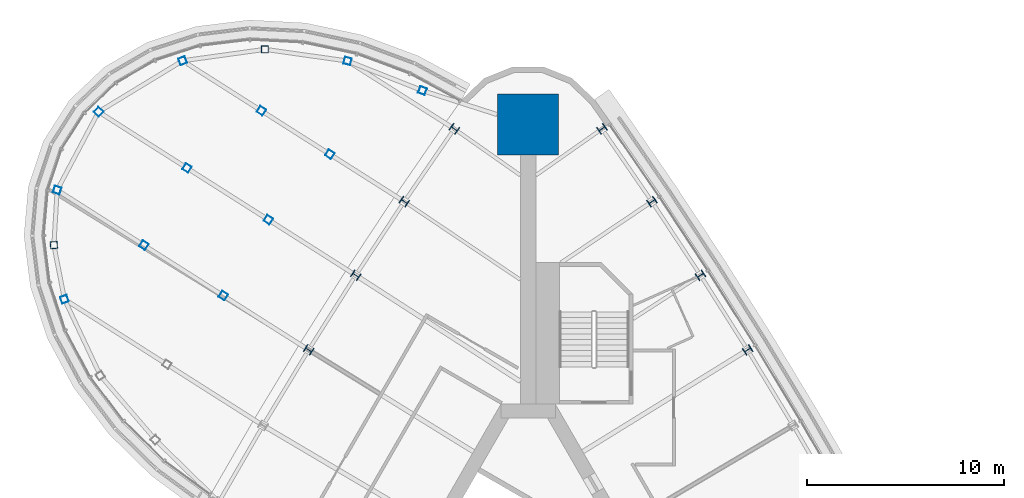
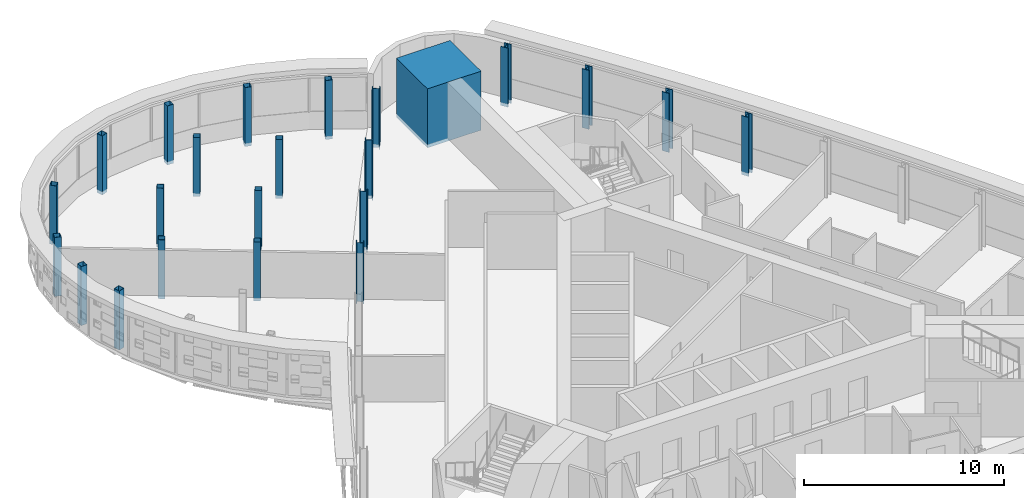
# One storey, part 3 of 17: 23 columns.
"""IFC4 building model written with IfcOpenShell, lengths in metres."""

from ifc_helpers import new_model, si_unit, direction, frame, origin, origin_2d, place, context, subcontext, project, spatial, rectangle, hollow_rectangle, i_section, extrude, material, material_profile, profile_set, type_object, element, save


model = new_model("IFC4")

# Units and contexts
model_context = context("Model", 3, precision=1e-05, world=origin(), true_north=direction((0.0, 1.0)))
body_context = subcontext(model_context, "Body", "Model", "MODEL_VIEW")
ifc_project = project(units=[si_unit("LENGTHUNIT", "METRE"), si_unit("AREAUNIT", "SQUARE_METRE"), si_unit("VOLUMEUNIT", "CUBIC_METRE"), si_unit("PLANEANGLEUNIT", "RADIAN"), si_unit("MASSUNIT", "GRAM", prefix="KILO")], contexts=[model_context])

# Site, building, storey
site_placement = place(None, origin())
site = spatial("IfcSite", under=ifc_project, at=site_placement, CompositionType="ELEMENT")
building_placement = place(site_placement, origin())
building = spatial("IfcBuilding", under=site, at=building_placement, Name="Noor Cloister Tower", CompositionType="ELEMENT")
storey_placement = place(building_placement, frame((0.0, 0.0, 95.10009765625)))
storey = spatial("IfcBuildingStorey", under=building, at=storey_placement, Name="L24", CompositionType="ELEMENT", Elevation=95.10009765625)

# Columns
ifc_material_1 = material(Name="Steel ASTM A992 Gr 50", Category="steel")
ifc_material_profile_1 = material_profile(ifc_material_1, i_section(OverallWidth=0.40087890625, OverallDepth=0.39892578125, WebThickness=0.02490234375, FlangeThickness=0.03955078125, FilletRadius=0.015380859375, at=origin_2d()), Name="W360x314")
ifc_profile_set_1 = profile_set([ifc_material_profile_1], Name="Steel ASTM A992 Gr 50")
column_type_1 = type_object("IfcColumnType", Name="Column W360x314", PredefinedType="COLUMN", material=ifc_profile_set_1)
for number, where, z_axis, x_axis, name in (
    (1, (-3.754638671875, 25.463623046875, -0.2001953125), (0.0, 0.0, 1.0), (-0.57464761374, -0.818400953092, 0.0), "Column NW 01 L24"),
    (2, (-6.2978515625, 21.7646484375, -0.2001953125), (0.0, 0.0, 1.0), (-0.558428529917, -0.829552636651, 0.0), "Column NW 02 L24"),
    (3, (-8.76806640625, 18.01611328125, -0.2001953125), (0.0, 0.0, 1.0), (-0.541993100424, -0.840382935984, 0.0), "Column NW 03 L24"),
    (4, (-11.163818359375, 14.2197265625, -0.2001953125), (0.0, 0.0, 1.0), (-0.525347692669, -0.850887655221, 0.0), "Column NW 04 L24"),
    (5, (11.163818359375, 14.2197265625, -0.2001953125), (0.0, 0.0, 1.0), (-0.525347692669, 0.850887655221, 0.0), "Column NE 07 L24"),
    (6, (8.76806640625, 18.01611328125, -0.2001953125), (0.0, 0.0, 1.0), (-0.541993100424, 0.840382935984, 0.0), "Column NE 08 L24"),
    (7, (6.2978515625, 21.7646484375, -0.2001953125), (0.0, 0.0, 1.0), (-0.558428529917, 0.829552636651, 0.0), "Column NE 09 L24"),
    (8, (3.754638671875, 25.463623046875, -0.2001953125), (0.0, 0.0, 1.0), (-0.57464761374, 0.818400953092, 0.0), "Column NE 10 L24"),
):
    element("IfcColumn", number, at=place(storey_placement, frame(where, z_axis=z_axis, x_axis=x_axis)), inside=storey, type_object=column_type_1, Name=name, PredefinedType="COLUMN", context=body_context, shape_type="SweptSolid", body=[
        extrude(i_section(OverallWidth=0.40087890625, OverallDepth=0.39892578125, WebThickness=0.02490234375, FlangeThickness=0.03955078125, FilletRadius=0.015380859375, at=origin_2d()), origin(), (0.0, 0.0, 1.0), 3.60009765625),
    ])
ifc_material_2 = material(Name="Concrete C80/95", Category="concrete")
ifc_material_profile_2 = material_profile(ifc_material_2, rectangle(XDim=3.10009765625, YDim=3.10009765625, at=origin_2d()), Name="RC 3100x3100")
ifc_profile_set_2 = profile_set([ifc_material_profile_2], Name="Concrete C80/95")
column_type_2 = type_object("IfcColumnType", Name="Corner pier 3100 x 3100 C80/95", PredefinedType="COLUMN", material=ifc_profile_set_2)
column_placement = place(storey_placement, frame((0.0, 25.68408203125, -0.2001953125), z_axis=(0.0, 0.0, 1.0), x_axis=(0.0, 1.0, 0.0)))
element("IfcColumn", 9, at=column_placement, inside=storey, type_object=column_type_2, Name="Corner pier N L24", PredefinedType="COLUMN", context=body_context, shape_type="SweptSolid", body=[
    extrude(rectangle(XDim=3.10009765625, YDim=3.10009765625, at=origin_2d()), origin(), (0.0, 0.0, 1.0), 3.60009765625),
])
ifc_material_3 = material(Name="Steel ASTM A500 Gr C", Category="steel")
ifc_material_profile_3 = material_profile(ifc_material_3, hollow_rectangle(XDim=0.35595703125, YDim=0.35595703125, WallThickness=0.0126953125, at=origin_2d()), Name="HSS355.6x355.6x12.7")
ifc_profile_set_3 = profile_set([ifc_material_profile_3], Name="Steel ASTM A500 Gr C")
column_type_3 = type_object("IfcColumnType", Name="Pod post HSS355.6x355.6x12.7", PredefinedType="COLUMN", material=ifc_profile_set_3)
for number, where, z_axis, x_axis, name in (
    (10, (-10.08447265625, 24.1708984375, -0.2001953125), (0.0, 0.0, 1.0), (-0.843995500683, 0.536350253871, 0.0), "Pod post 2 L24 line 2 node 1"),
    (11, (-13.56640625, 26.383544921875, -0.2001953125), (0.0, 0.0, 1.0), (-0.843995500683, 0.536350253871, 0.0), "Pod post 2 L24 line 2 node 2"),
    (12, (-13.2119140625, 20.840087890625, -0.2001953125), (0.0, 0.0, 1.0), (-0.843995500683, 0.536350253871, 0.0), "Pod post 2 L24 line 3 node 1"),
    (13, (-17.3544921875, 23.47265625, -0.2001953125), (0.0, 0.0, 1.0), (-0.843995500683, 0.536350253871, 0.0), "Pod post 2 L24 line 3 node 2"),
    (14, (-15.507080078125, 16.979736328125, -0.2001953125), (0.0, 0.0, 1.0), (-0.843995500683, 0.536350253871, 0.0), "Pod post 2 L24 line 4 node 1"),
    (15, (-19.5478515625, 19.5478515625, -0.2001953125), (0.0, 0.0, 1.0), (-0.843995500683, 0.536350253871, 0.0), "Pod post 2 L24 line 4 node 2"),
    (16, (-5.373046875, 27.410400390625, -0.2001953125), (0.0, 0.0, 1.0), (-0.934997461758, 0.354654404325, 0.0), "Pod post 2 L24 ring 2"),
    (17, (-9.184814453125, 28.91455078125, -0.2001953125), (0.0, 0.0, 1.0), (-0.967384048486, 0.253314237134, 0.0), "Pod post 2 L24 ring 3"),
    (18, (-13.3857421875, 29.508544921875, -0.2001953125), (0.0, 0.0, 1.0), (-0.999998491498, 0.001736951636, 0.0), "Pod post 2 L24 ring 4"),
    (19, (-17.572021484375, 28.92919921875, -0.2001953125), (0.0, 0.0, 1.0), (-0.936172595817, -0.351540710077, 0.0), "Pod post 2 L24 ring 5"),
    (20, (-21.8505859375, 26.329833984375, -0.2001953125), (0.0, 0.0, 1.0), (-0.69632321995, -0.717728342312, 0.0), "Pod post 2 L24 ring 6"),
    (21, (-23.955810546875, 22.34912109375, -0.2001953125), (0.0, 0.0, 1.0), (-0.317909141458, -0.948121183065, 0.0), "Pod post 2 L24 ring 7"),
    (22, (-24.1240234375, 19.549560546875, -0.2001953125), (0.0, 0.0, 1.0), (0.066690983869, -0.997773678081, 0.0), "Pod post 2 L24 ring 8"),
    (23, (-23.584716796875, 16.795654296875, -0.2001953125), (0.0, 0.0, 1.0), (0.335654108037, -0.941985307612, 0.0), "Pod post 2 L24 ring 9"),
):
    element("IfcColumn", number, at=place(storey_placement, frame(where, z_axis=z_axis, x_axis=x_axis)), inside=storey, type_object=column_type_3, Name=name, PredefinedType="COLUMN", context=body_context, shape_type="SweptSolid", body=[
        extrude(hollow_rectangle(XDim=0.35595703125, YDim=0.35595703125, WallThickness=0.0126953125, at=origin_2d()), origin(), (0.0, 0.0, 1.0), 3.60009765625),
    ])

save(model, "model.ifc")
